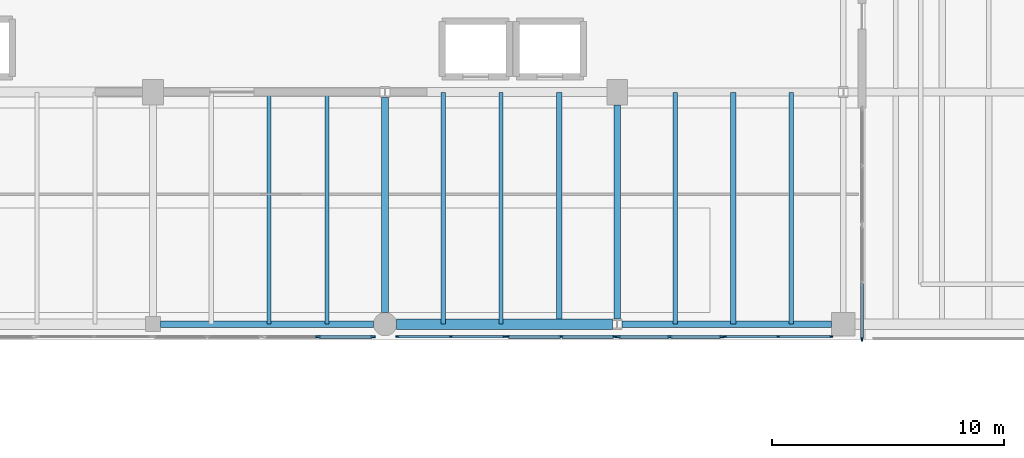
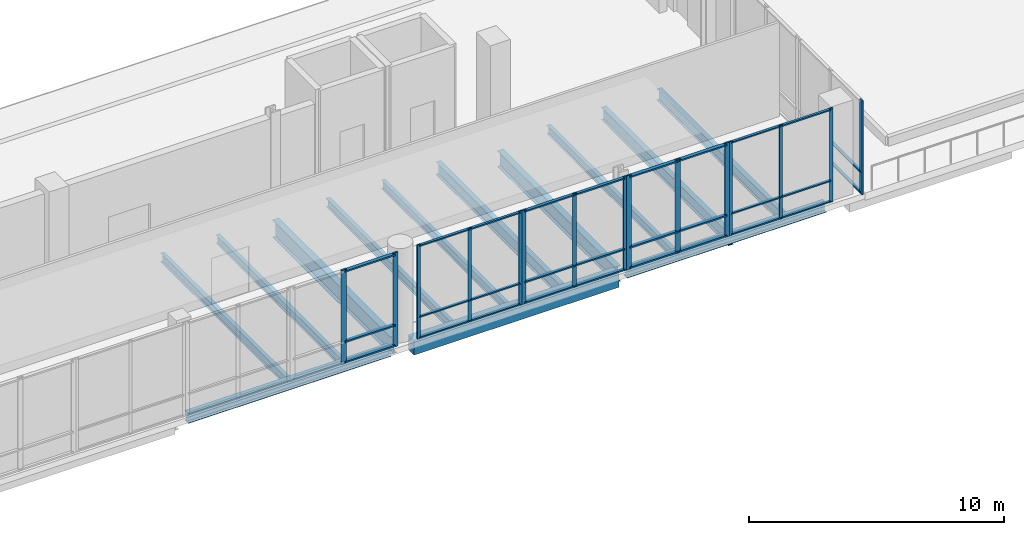
# One storey, part 18 of 41: 44 members, 13 beams, 6 elements without a shape of their own.
"""IFC4 building model written with IfcOpenShell, lengths in metres."""

from ifc_helpers import new_model, si_unit, direction, frame, origin, origin_2d, place, context, subcontext, project, spatial, rectangle, i_section, extrude, material, material_profile, profile_set, type_object, element, aggregate, save


model = new_model("IFC4")

# Units and contexts
model_context = context("Model", 3, precision=1e-05, world=origin(), true_north=direction((0.0, 1.0)))
body_context = subcontext(model_context, "Body", "Model", "MODEL_VIEW")
ifc_project = project(units=[si_unit("LENGTHUNIT", "METRE"), si_unit("AREAUNIT", "SQUARE_METRE"), si_unit("VOLUMEUNIT", "CUBIC_METRE"), si_unit("PLANEANGLEUNIT", "RADIAN"), si_unit("MASSUNIT", "GRAM", prefix="KILO")], contexts=[model_context])

# Site, building, storey
site_placement = place(None, origin())
site = spatial("IfcSite", under=ifc_project, at=site_placement, CompositionType="ELEMENT")
building_placement = place(site_placement, origin())
building = spatial("IfcBuilding", under=site, at=building_placement, Name="Trimount Lyric Opera House", CompositionType="ELEMENT")
storey_placement = place(building_placement, frame((0.0, 0.0, 20.0)))
storey = spatial("IfcBuildingStorey", under=building, at=storey_placement, Name="L04", CompositionType="ELEMENT", Elevation=20.0)

# Beams
ifc_material_1 = material(Name="Steel ASTM A992 Grade 50", Category="steel")
ifc_material_profile_1 = material_profile(ifc_material_1, i_section(OverallWidth=0.2919921875, OverallDepth=0.845947265625, WebThickness=0.015380859375, FlangeThickness=0.0244140625, FilletRadius=0.01806640625, at=origin_2d()), Name="W33X141")
ifc_profile_set_1 = profile_set([ifc_material_profile_1], Name="Steel ASTM A992 Grade 50")
beam_type_1 = type_object("IfcBeamType", Name="B-05", PredefinedType="BEAM", material=ifc_profile_set_1)
beam_1_placement = place(storey_placement, frame((94.0, 44.5, -0.748046875), z_axis=(0.0, 1.0, 0.0), x_axis=(-1.0, 0.0, 0.0)))
element("IfcBeam", 1, at=beam_1_placement, inside=storey, type_object=beam_type_1, Name="L04 girder Y-1226", PredefinedType="BEAM", context=body_context, shape_type="SweptSolid", body=[
    extrude(i_section(OverallWidth=0.2919921875, OverallDepth=0.845947265625, WebThickness=0.015380859375, FlangeThickness=0.0244140625, FilletRadius=0.01806640625, at=origin_2d()), origin(), (0.0, 0.0, 1.0), 9.267578125),
])
ifc_material_2 = material(Name="Steel ASTM A992 Grade 50", Category="steel")
ifc_material_profile_2 = material_profile(ifc_material_2, i_section(OverallWidth=0.26708984375, OverallDepth=0.761962890625, WebThickness=0.014404296875, FlangeThickness=0.021484375, FilletRadius=0.01708984375, at=origin_2d()), Name="W30X116")
ifc_profile_set_2 = profile_set([ifc_material_profile_2], Name="Steel ASTM A992 Grade 50")
beam_type_2 = type_object("IfcBeamType", Name="B-07", PredefinedType="BEAM", material=ifc_profile_set_2)
beam_2_placement = place(storey_placement, frame((104.0, 44.232421875, -0.7060546875), z_axis=(0.0, 1.0, 0.0), x_axis=(-1.0, 0.0, 0.0)))
element("IfcBeam", 2, at=beam_2_placement, inside=storey, type_object=beam_type_2, Name="L04 girder Y-1227", PredefinedType="BEAM", context=body_context, shape_type="SweptSolid", body=[
    extrude(i_section(OverallWidth=0.26708984375, OverallDepth=0.761962890625, WebThickness=0.014404296875, FlangeThickness=0.021484375, FilletRadius=0.01708984375, at=origin_2d()), origin(), (0.0, 0.0, 1.0), 9.217529296875),
])
ifc_material_3 = material(Name="Steel ASTM A992 Grade 50", Category="steel")
ifc_material_profile_3 = material_profile(ifc_material_3, i_section(OverallWidth=0.22802734375, OverallDepth=0.60205078125, WebThickness=0.010498046875, FlangeThickness=0.014892578125, FilletRadius=0.012939453125, at=origin_2d()), Name="W24X68")
ifc_profile_set_3 = profile_set([ifc_material_profile_3], Name="Steel ASTM A992 Grade 50")
beam_type_3 = type_object("IfcBeamType", Name="J-01", PredefinedType="BEAM", material=ifc_profile_set_3)
for number, where, z_axis, x_axis, name in (
    (3, (101.5, 44.011962890625, -0.6259765625), (0.0, 1.0, 0.0), (-1.0, 0.0, 0.0), "L04 composite floor joist 1209"),
    (4, (109.0, 44.011962890625, -0.6259765625), (0.0, 1.0, 0.0), (-1.0, 0.0, 0.0), "L04 composite floor joist 1211"),
):
    element("IfcBeam", number, at=place(storey_placement, frame(where, z_axis=z_axis, x_axis=x_axis)), inside=storey, type_object=beam_type_3, Name=name, PredefinedType="BEAM", context=body_context, shape_type="SweptSolid", body=[
        extrude(i_section(OverallWidth=0.22802734375, OverallDepth=0.60205078125, WebThickness=0.010498046875, FlangeThickness=0.014892578125, FilletRadius=0.012939453125, at=origin_2d()), origin(), (0.0, 0.0, 1.0), 9.97607421875),
    ])
ifc_material_4 = material(Name="Steel ASTM A992 Grade 50", Category="steel")
ifc_material_profile_4 = material_profile(ifc_material_4, i_section(OverallWidth=0.2099609375, OverallDepth=0.532958984375, WebThickness=0.01025390625, FlangeThickness=0.015625, FilletRadius=0.012939453125, at=origin_2d()), Name="W21X62")
ifc_profile_set_4 = profile_set([ifc_material_profile_4], Name="Steel ASTM A992 Grade 50")
beam_type_4 = type_object("IfcBeamType", Name="J-02", PredefinedType="BEAM", material=ifc_profile_set_4)
beam_3_placement = place(storey_placement, frame((111.5, 44.011962890625, -0.591552734375), z_axis=(0.0, 1.0, 0.0), x_axis=(-1.0, 0.0, 0.0)))
element("IfcBeam", 5, at=beam_3_placement, inside=storey, type_object=beam_type_4, Name="L04 composite floor joist 1212", PredefinedType="BEAM", context=body_context, shape_type="SweptSolid", body=[
    extrude(i_section(OverallWidth=0.2099609375, OverallDepth=0.532958984375, WebThickness=0.01025390625, FlangeThickness=0.015625, FilletRadius=0.012939453125, at=origin_2d()), origin(), (0.0, 0.0, 1.0), 9.97607421875),
])
ifc_material_5 = material(Name="Steel ASTM A992 Grade 50", Category="steel")
ifc_material_profile_5 = material_profile(ifc_material_5, i_section(OverallWidth=0.180908203125, OverallDepth=0.4169921875, WebThickness=0.010986328125, FlangeThickness=0.018310546875, FilletRadius=0.010986328125, at=origin_2d()), Name="W16X57")
ifc_profile_set_5 = profile_set([ifc_material_profile_5], Name="Steel ASTM A992 Grade 50")
beam_type_5 = type_object("IfcBeamType", Name="J-05", PredefinedType="BEAM", material=ifc_profile_set_5)
for number, where, z_axis, x_axis, name in (
    (6, (89.0, 44.011962890625, -0.533447265625), (0.0, 1.0, 0.0), (-1.0, 0.0, 0.0), "L04 composite floor joist 1205"),
    (7, (96.5, 44.011962890625, -0.533447265625), (0.0, 1.0, 0.0), (-1.0, 0.0, 0.0), "L04 composite floor joist 1207"),
):
    element("IfcBeam", number, at=place(storey_placement, frame(where, z_axis=z_axis, x_axis=x_axis)), inside=storey, type_object=beam_type_5, Name=name, PredefinedType="BEAM", context=body_context, shape_type="SweptSolid", body=[
        extrude(i_section(OverallWidth=0.180908203125, OverallDepth=0.4169921875, WebThickness=0.010986328125, FlangeThickness=0.018310546875, FilletRadius=0.010986328125, at=origin_2d()), origin(), (0.0, 0.0, 1.0), 9.97607421875),
    ])
ifc_material_6 = material(Name="Steel ASTM A992 Grade 50", Category="steel")
ifc_material_profile_6 = material_profile(ifc_material_6, i_section(OverallWidth=0.177978515625, OverallDepth=0.404052734375, WebThickness=0.007568359375, FlangeThickness=0.010986328125, FilletRadius=0.010009765625, at=origin_2d()), Name="W16X36")
ifc_profile_set_6 = profile_set([ifc_material_profile_6], Name="Steel ASTM A992 Grade 50")
beam_type_6 = type_object("IfcBeamType", Name="J-06", PredefinedType="BEAM", material=ifc_profile_set_6)
for number, where, z_axis, x_axis, name in (
    (8, (91.5, 44.011962890625, -0.527099609375), (0.0, 1.0, 0.0), (-1.0, 0.0, 0.0), "L04 composite floor joist 1206"),
    (9, (99.0, 44.011962890625, -0.527099609375), (0.0, 1.0, 0.0), (-1.0, 0.0, 0.0), "L04 composite floor joist 1208"),
    (10, (106.5, 44.011962890625, -0.527099609375), (0.0, 1.0, 0.0), (-1.0, 0.0, 0.0), "L04 composite floor joist 1210"),
):
    element("IfcBeam", number, at=place(storey_placement, frame(where, z_axis=z_axis, x_axis=x_axis)), inside=storey, type_object=beam_type_6, Name=name, PredefinedType="BEAM", context=body_context, shape_type="SweptSolid", body=[
        extrude(i_section(OverallWidth=0.177978515625, OverallDepth=0.404052734375, WebThickness=0.007568359375, FlangeThickness=0.010986328125, FilletRadius=0.010009765625, at=origin_2d()), origin(), (0.0, 0.0, 1.0), 9.97607421875),
    ])

# Curtain wall, members
ifc_material_7 = material(Name="Thermally Broken Aluminium and Low-E Glass", Category="aluminium")
curtain_wall_type = type_object("IfcCurtainWallType", Name="CW-05", PredefinedType="NOTDEFINED", material=ifc_material_7)
curtain_wall_1_placement = place(storey_placement, origin())
curtain_wall_1 = element("IfcCurtainWall", 11, at=curtain_wall_1_placement, inside=storey, type_object=curtain_wall_type, Name="L04 curtain wall 324", PredefinedType="NOTDEFINED")
ifc_material_8 = material(Name="Anodised Aluminium 6063-T6", Category="aluminium")
ifc_material_profile_7 = material_profile(ifc_material_8, rectangle(XDim=0.070068359375, YDim=0.219970703125, at=origin_2d()), Name="ALU-MULL-70X220")
ifc_profile_set_7 = profile_set([ifc_material_profile_7], Name="Anodised Aluminium 6063-T6")
member_type_1 = type_object("IfcMemberType", Name="ML-01", PredefinedType="MULLION", material=ifc_profile_set_7)
member_1_placement = place(storey_placement, frame((108.4951171875, 43.4599609375, 0.0), z_axis=(0.0, 0.0, 1.0), x_axis=(0.0, -1.0, 0.0)))
member_1 = element("IfcMember", 12, at=member_1_placement, type_object=member_type_1, Name="CW-05 mullion 1", PredefinedType="MULLION", context=body_context, shape_type="SweptSolid", body=[
    extrude(rectangle(XDim=0.070068359375, YDim=0.219970703125, at=origin_2d()), origin(), (0.0, 0.0, 1.0), 4.510009765625),
])
member_2_placement = place(storey_placement, frame((106.264892578125, 43.4599609375, 0.0), z_axis=(0.0, 0.0, 1.0), x_axis=(0.0, -1.0, 0.0)))
member_2 = element("IfcMember", 13, at=member_2_placement, type_object=member_type_1, Name="CW-05 mullion 2", PredefinedType="MULLION", context=body_context, shape_type="SweptSolid", body=[
    extrude(rectangle(XDim=0.070068359375, YDim=0.219970703125, at=origin_2d()), origin(), (0.0, 0.0, 1.0), 4.510009765625),
])
member_3_placement = place(storey_placement, frame((104.034912109375, 43.4599609375, 0.0), z_axis=(0.0, 0.0, 1.0), x_axis=(0.0, -1.0, 0.0)))
member_3 = element("IfcMember", 14, at=member_3_placement, type_object=member_type_1, Name="CW-05 mullion 3", PredefinedType="MULLION", context=body_context, shape_type="SweptSolid", body=[
    extrude(rectangle(XDim=0.070068359375, YDim=0.219970703125, at=origin_2d()), origin(), (0.0, 0.0, 1.0), 4.510009765625),
])

curtain_wall_2_placement = place(storey_placement, origin())
curtain_wall_2 = element("IfcCurtainWall", 15, at=curtain_wall_2_placement, inside=storey, type_object=curtain_wall_type, Name="L04 curtain wall 327", PredefinedType="NOTDEFINED")
member_4_placement = place(storey_placement, frame((93.465087890625, 43.4599609375, 0.0), z_axis=(0.0, 0.0, 1.0), x_axis=(0.0, -1.0, 0.0)))
member_4 = element("IfcMember", 16, at=member_4_placement, type_object=member_type_1, Name="CW-05 mullion 1", PredefinedType="MULLION", context=body_context, shape_type="SweptSolid", body=[
    extrude(rectangle(XDim=0.070068359375, YDim=0.219970703125, at=origin_2d()), origin(), (0.0, 0.0, 1.0), 4.510009765625),
])
member_5_placement = place(storey_placement, frame((91.125, 43.4599609375, 0.0), z_axis=(0.0, 0.0, 1.0), x_axis=(0.0, -1.0, 0.0)))
member_5 = element("IfcMember", 17, at=member_5_placement, type_object=member_type_1, Name="CW-05 mullion 2", PredefinedType="MULLION", context=body_context, shape_type="SweptSolid", body=[
    extrude(rectangle(XDim=0.070068359375, YDim=0.219970703125, at=origin_2d()), origin(), (0.0, 0.0, 1.0), 4.510009765625),
])

# Curtain wall, member
curtain_wall_3_placement = place(storey_placement, origin())
curtain_wall_3 = element("IfcCurtainWall", 18, at=curtain_wall_3_placement, inside=storey, type_object=curtain_wall_type, Name="L04 curtain wall 322", PredefinedType="NOTDEFINED")
ifc_material_9 = material(Name="Anodised Aluminium 6063-T6", Category="aluminium")
ifc_material_profile_8 = material_profile(ifc_material_9, rectangle(XDim=0.06494140625, YDim=0.179931640625, at=origin_2d()), Name="ALU-MULL-65X180")
ifc_profile_set_8 = profile_set([ifc_material_profile_8], Name="Anodised Aluminium 6063-T6")
member_type_2 = type_object("IfcMemberType", Name="ML-02", PredefinedType="MULLION", material=ifc_profile_set_8)
member_6_placement = place(storey_placement, frame((114.5400390625, 43.3525390625, 0.0), z_axis=(0.0, 0.0, 1.0), x_axis=(1.0, 0.0, 0.0)))
member_6 = element("IfcMember", 19, at=member_6_placement, type_object=member_type_2, Name="CW-05 mullion 3", PredefinedType="MULLION", context=body_context, shape_type="SweptSolid", body=[
    extrude(rectangle(XDim=0.06494140625, YDim=0.179931640625, at=origin_2d()), origin(), (0.0, 0.0, 1.0), 4.5),
])

# Curtain wall, members
curtain_wall_4_placement = place(storey_placement, origin())
curtain_wall_4 = element("IfcCurtainWall", 20, at=curtain_wall_4_placement, inside=storey, type_object=curtain_wall_type, Name="L04 curtain wall 325", PredefinedType="NOTDEFINED")
member_7_placement = place(storey_placement, frame((103.87744140625, 43.4599609375, 0.0), z_axis=(0.0, 0.0, 1.0), x_axis=(0.0, -1.0, 0.0)))
member_7 = element("IfcMember", 21, at=member_7_placement, type_object=member_type_2, Name="CW-05 mullion 1", PredefinedType="MULLION", context=body_context, shape_type="SweptSolid", body=[
    extrude(rectangle(XDim=0.06494140625, YDim=0.179931640625, at=origin_2d()), origin(), (0.0, 0.0, 1.0), 4.510009765625),
])
member_8_placement = place(storey_placement, frame((101.580078125, 43.4599609375, 0.0), z_axis=(0.0, 0.0, 1.0), x_axis=(0.0, -1.0, 0.0)))
member_8 = element("IfcMember", 22, at=member_8_placement, type_object=member_type_2, Name="CW-05 mullion 2", PredefinedType="MULLION", context=body_context, shape_type="SweptSolid", body=[
    extrude(rectangle(XDim=0.06494140625, YDim=0.179931640625, at=origin_2d()), origin(), (0.0, 0.0, 1.0), 4.510009765625),
])
member_9_placement = place(storey_placement, frame((99.282470703125, 43.4599609375, 0.0), z_axis=(0.0, 0.0, 1.0), x_axis=(0.0, -1.0, 0.0)))
member_9 = element("IfcMember", 23, at=member_9_placement, type_object=member_type_2, Name="CW-05 mullion 3", PredefinedType="MULLION", context=body_context, shape_type="SweptSolid", body=[
    extrude(rectangle(XDim=0.06494140625, YDim=0.179931640625, at=origin_2d()), origin(), (0.0, 0.0, 1.0), 4.510009765625),
])

curtain_wall_5_placement = place(storey_placement, origin())
curtain_wall_5 = element("IfcCurtainWall", 24, at=curtain_wall_5_placement, inside=storey, type_object=curtain_wall_type, Name="L04 curtain wall 323", PredefinedType="NOTDEFINED")
ifc_material_10 = material(Name="Anodised Aluminium 6063-T6", Category="aluminium")
ifc_material_profile_9 = material_profile(ifc_material_10, rectangle(XDim=0.06005859375, YDim=0.14990234375, at=origin_2d()), Name="ALU-MULL-60X150")
ifc_profile_set_9 = profile_set([ifc_material_profile_9], Name="Anodised Aluminium 6063-T6")
member_type_3 = type_object("IfcMemberType", Name="ML-03", PredefinedType="MULLION", material=ifc_profile_set_9)
member_10_placement = place(storey_placement, frame((113.2099609375, 43.4599609375, 0.0), z_axis=(0.0, 0.0, 1.0), x_axis=(0.0, -1.0, 0.0)))
member_10 = element("IfcMember", 25, at=member_10_placement, type_object=member_type_3, Name="CW-05 mullion 1", PredefinedType="MULLION", context=body_context, shape_type="SweptSolid", body=[
    extrude(rectangle(XDim=0.06005859375, YDim=0.14990234375, at=origin_2d()), origin(), (0.0, 0.0, 1.0), 4.510009765625),
])
member_11_placement = place(storey_placement, frame((110.929931640625, 43.4599609375, 0.0), z_axis=(0.0, 0.0, 1.0), x_axis=(0.0, -1.0, 0.0)))
member_11 = element("IfcMember", 26, at=member_11_placement, type_object=member_type_3, Name="CW-05 mullion 2", PredefinedType="MULLION", context=body_context, shape_type="SweptSolid", body=[
    extrude(rectangle(XDim=0.06005859375, YDim=0.14990234375, at=origin_2d()), origin(), (0.0, 0.0, 1.0), 4.510009765625),
])
member_12_placement = place(storey_placement, frame((108.64990234375, 43.4599609375, 0.0), z_axis=(0.0, 0.0, 1.0), x_axis=(0.0, -1.0, 0.0)))
member_12 = element("IfcMember", 27, at=member_12_placement, type_object=member_type_3, Name="CW-05 mullion 3", PredefinedType="MULLION", context=body_context, shape_type="SweptSolid", body=[
    extrude(rectangle(XDim=0.06005859375, YDim=0.14990234375, at=origin_2d()), origin(), (0.0, 0.0, 1.0), 4.510009765625),
])

curtain_wall_6_placement = place(storey_placement, origin())
curtain_wall_6 = element("IfcCurtainWall", 28, at=curtain_wall_6_placement, inside=storey, type_object=curtain_wall_type, Name="L04 curtain wall 326", PredefinedType="NOTDEFINED")
member_13_placement = place(storey_placement, frame((99.1298828125, 43.4599609375, 0.0), z_axis=(0.0, 0.0, 1.0), x_axis=(0.0, -1.0, 0.0)))
member_13 = element("IfcMember", 29, at=member_13_placement, type_object=member_type_3, Name="CW-05 mullion 1", PredefinedType="MULLION", context=body_context, shape_type="SweptSolid", body=[
    extrude(rectangle(XDim=0.06005859375, YDim=0.14990234375, at=origin_2d()), origin(), (0.0, 0.0, 1.0), 4.510009765625),
])
member_14_placement = place(storey_placement, frame((96.830078125, 43.4599609375, 0.0), z_axis=(0.0, 0.0, 1.0), x_axis=(0.0, -1.0, 0.0)))
member_14 = element("IfcMember", 30, at=member_14_placement, type_object=member_type_3, Name="CW-05 mullion 2", PredefinedType="MULLION", context=body_context, shape_type="SweptSolid", body=[
    extrude(rectangle(XDim=0.06005859375, YDim=0.14990234375, at=origin_2d()), origin(), (0.0, 0.0, 1.0), 4.510009765625),
])
member_15_placement = place(storey_placement, frame((94.530029296875, 43.4599609375, 0.0), z_axis=(0.0, 0.0, 1.0), x_axis=(0.0, -1.0, 0.0)))
member_15 = element("IfcMember", 31, at=member_15_placement, type_object=member_type_3, Name="CW-05 mullion 3", PredefinedType="MULLION", context=body_context, shape_type="SweptSolid", body=[
    extrude(rectangle(XDim=0.06005859375, YDim=0.14990234375, at=origin_2d()), origin(), (0.0, 0.0, 1.0), 4.510009765625),
])

# Beams
ifc_material_11 = material(Name="Steel ASTM A992 Grade 50", Category="steel")
ifc_material_profile_10 = material_profile(ifc_material_11, i_section(OverallWidth=0.281982421875, OverallDepth=0.467041015625, WebThickness=0.01220703125, FlangeThickness=0.01953125, FilletRadius=0.012939453125, at=origin_2d()), Name="W18X86")
ifc_profile_set_10 = profile_set([ifc_material_profile_10], Name="Steel ASTM A992 Grade 50")
beam_type_7 = type_object("IfcBeamType", Name="SP-01", PredefinedType="SPANDREL", material=ifc_profile_set_10)
beam_4_placement = place(storey_placement, frame((84.324951171875, 44.0, -0.513427734375), z_axis=(1.0, 0.0, 0.0), x_axis=(0.0, 1.0, 0.0)))
element("IfcBeam", 32, at=beam_4_placement, inside=storey, type_object=beam_type_7, Name="L04 girder X-1130", PredefinedType="SPANDREL", context=body_context, shape_type="SweptSolid", body=[
    extrude(i_section(OverallWidth=0.281982421875, OverallDepth=0.467041015625, WebThickness=0.01220703125, FlangeThickness=0.01953125, FilletRadius=0.012939453125, at=origin_2d()), origin(), (0.0, 0.0, 1.0), 9.175048828125),
])
beam_5_placement = place(storey_placement, frame((104.2109375, 44.0, -0.513427734375), z_axis=(1.0, 0.0, 0.0), x_axis=(0.0, 1.0, 0.0)))
element("IfcBeam", 33, at=beam_5_placement, inside=storey, type_object=beam_type_7, Name="L04 girder X-1132", PredefinedType="SPANDREL", context=body_context, shape_type="SweptSolid", body=[
    extrude(i_section(OverallWidth=0.281982421875, OverallDepth=0.467041015625, WebThickness=0.01220703125, FlangeThickness=0.01953125, FilletRadius=0.012939453125, at=origin_2d()), origin(), (0.0, 0.0, 1.0), 9.029052734375),
])
ifc_material_12 = material(Name="Concrete C40/50", Category="concrete")
ifc_material_profile_11 = material_profile(ifc_material_12, rectangle(XDim=0.449951171875, YDim=0.699951171875, at=origin_2d()), Name="RC450X700")
ifc_profile_set_11 = profile_set([ifc_material_profile_11], Name="Concrete C40/50")
beam_type_8 = type_object("IfcBeamType", Name="SP-02", PredefinedType="SPANDREL", material=ifc_profile_set_11)
beam_6_placement = place(storey_placement, frame((94.5, 44.0, -0.6298828125), z_axis=(1.0, 0.0, 0.0), x_axis=(0.0, 1.0, 0.0)))
element("IfcBeam", 34, at=beam_6_placement, inside=storey, type_object=beam_type_8, Name="L04 girder X-1131", PredefinedType="SPANDREL", context=body_context, shape_type="SweptSolid", body=[
    extrude(rectangle(XDim=0.449951171875, YDim=0.699951171875, at=origin_2d()), origin(), (0.0, 0.0, 1.0), 9.2890625),
])

# Member
ifc_material_13 = material(Name="Anodised Aluminium 6063-T6", Category="aluminium")
ifc_material_profile_12 = material_profile(ifc_material_13, rectangle(XDim=0.159912109375, YDim=0.070068359375, at=origin_2d()), Name="ALU-TRAN-70X160")
ifc_profile_set_12 = profile_set([ifc_material_profile_12], Name="Anodised Aluminium 6063-T6")
member_type_4 = type_object("IfcMemberType", Name="TR-01", PredefinedType="USERDEFINED", material=ifc_profile_set_12)
member_16_placement = place(storey_placement, frame((108.4599609375, 43.4599609375, 0.080078125), z_axis=(-1.0, 0.0, 0.0), x_axis=(0.0, -1.0, 0.0)))
member_16 = element("IfcMember", 35, at=member_16_placement, type_object=member_type_4, Name="CW-05 transom 1.1", ObjectType="TRANSOM", PredefinedType="USERDEFINED", context=body_context, shape_type="SweptSolid", body=[
    extrude(rectangle(XDim=0.159912109375, YDim=0.070068359375, at=origin_2d()), origin(), (0.0, 0.0, 1.0), 2.159912109375),
])

member_17_placement = place(storey_placement, frame((108.4599609375, 43.4599609375, 1.050048828125), z_axis=(-1.0, 0.0, 0.0), x_axis=(0.0, -1.0, 0.0)))
member_17 = element("IfcMember", 36, at=member_17_placement, type_object=member_type_4, Name="CW-05 transom 1.2", ObjectType="TRANSOM", PredefinedType="USERDEFINED", context=body_context, shape_type="SweptSolid", body=[
    extrude(rectangle(XDim=0.159912109375, YDim=0.070068359375, at=origin_2d()), origin(), (0.0, 0.0, 1.0), 2.159912109375),
])

member_18_placement = place(storey_placement, frame((108.4599609375, 43.4599609375, 4.429931640625), z_axis=(-1.0, 0.0, 0.0), x_axis=(0.0, -1.0, 0.0)))
member_18 = element("IfcMember", 37, at=member_18_placement, type_object=member_type_4, Name="CW-05 transom 1.3", ObjectType="TRANSOM", PredefinedType="USERDEFINED", context=body_context, shape_type="SweptSolid", body=[
    extrude(rectangle(XDim=0.159912109375, YDim=0.070068359375, at=origin_2d()), origin(), (0.0, 0.0, 1.0), 2.159912109375),
])

member_19_placement = place(storey_placement, frame((106.22998046875, 43.4599609375, 0.080078125), z_axis=(-1.0, 0.0, 0.0), x_axis=(0.0, -1.0, 0.0)))
member_19 = element("IfcMember", 38, at=member_19_placement, type_object=member_type_4, Name="CW-05 transom 2.1", ObjectType="TRANSOM", PredefinedType="USERDEFINED", context=body_context, shape_type="SweptSolid", body=[
    extrude(rectangle(XDim=0.159912109375, YDim=0.070068359375, at=origin_2d()), origin(), (0.0, 0.0, 1.0), 2.159912109375),
])

member_20_placement = place(storey_placement, frame((106.22998046875, 43.4599609375, 1.050048828125), z_axis=(-1.0, 0.0, 0.0), x_axis=(0.0, -1.0, 0.0)))
member_20 = element("IfcMember", 39, at=member_20_placement, type_object=member_type_4, Name="CW-05 transom 2.2", ObjectType="TRANSOM", PredefinedType="USERDEFINED", context=body_context, shape_type="SweptSolid", body=[
    extrude(rectangle(XDim=0.159912109375, YDim=0.070068359375, at=origin_2d()), origin(), (0.0, 0.0, 1.0), 2.159912109375),
])

member_21_placement = place(storey_placement, frame((106.22998046875, 43.4599609375, 4.429931640625), z_axis=(-1.0, 0.0, 0.0), x_axis=(0.0, -1.0, 0.0)))
member_21 = element("IfcMember", 40, at=member_21_placement, type_object=member_type_4, Name="CW-05 transom 2.3", ObjectType="TRANSOM", PredefinedType="USERDEFINED", context=body_context, shape_type="SweptSolid", body=[
    extrude(rectangle(XDim=0.159912109375, YDim=0.070068359375, at=origin_2d()), origin(), (0.0, 0.0, 1.0), 2.159912109375),
])

aggregate(curtain_wall_1, [member_1, member_2, member_3, member_16, member_17, member_18, member_19, member_20, member_21])

member_22_placement = place(storey_placement, frame((93.429931640625, 43.4599609375, 0.080078125), z_axis=(-1.0, 0.0, 0.0), x_axis=(0.0, -1.0, 0.0)))
member_22 = element("IfcMember", 41, at=member_22_placement, type_object=member_type_4, Name="CW-05 transom 1.1", ObjectType="TRANSOM", PredefinedType="USERDEFINED", context=body_context, shape_type="SweptSolid", body=[
    extrude(rectangle(XDim=0.159912109375, YDim=0.070068359375, at=origin_2d()), origin(), (0.0, 0.0, 1.0), 2.27001953125),
])

member_23_placement = place(storey_placement, frame((93.429931640625, 43.4599609375, 1.050048828125), z_axis=(-1.0, 0.0, 0.0), x_axis=(0.0, -1.0, 0.0)))
member_23 = element("IfcMember", 42, at=member_23_placement, type_object=member_type_4, Name="CW-05 transom 1.2", ObjectType="TRANSOM", PredefinedType="USERDEFINED", context=body_context, shape_type="SweptSolid", body=[
    extrude(rectangle(XDim=0.159912109375, YDim=0.070068359375, at=origin_2d()), origin(), (0.0, 0.0, 1.0), 2.27001953125),
])

member_24_placement = place(storey_placement, frame((93.429931640625, 43.4599609375, 4.429931640625), z_axis=(-1.0, 0.0, 0.0), x_axis=(0.0, -1.0, 0.0)))
member_24 = element("IfcMember", 43, at=member_24_placement, type_object=member_type_4, Name="CW-05 transom 1.3", ObjectType="TRANSOM", PredefinedType="USERDEFINED", context=body_context, shape_type="SweptSolid", body=[
    extrude(rectangle(XDim=0.159912109375, YDim=0.070068359375, at=origin_2d()), origin(), (0.0, 0.0, 1.0), 2.27001953125),
])

aggregate(curtain_wall_2, [member_4, member_5, member_22, member_23, member_24])

ifc_material_14 = material(Name="Anodised Aluminium 6063-T6", Category="aluminium")
ifc_material_profile_13 = material_profile(ifc_material_14, rectangle(XDim=0.135009765625, YDim=0.06494140625, at=origin_2d()), Name="ALU-TRAN-65X135")
ifc_profile_set_13 = profile_set([ifc_material_profile_13], Name="Anodised Aluminium 6063-T6")
member_type_5 = type_object("IfcMemberType", Name="TR-02", PredefinedType="USERDEFINED", material=ifc_profile_set_13)
member_25_placement = place(storey_placement, frame((114.5400390625, 45.742431640625, 0.0673828125), z_axis=(0.0, -1.0, 0.0), x_axis=(1.0, 0.0, 0.0)))
member_25 = element("IfcMember", 44, at=member_25_placement, type_object=member_type_5, Name="CW-05 transom 2.1", ObjectType="TRANSOM", PredefinedType="USERDEFINED", context=body_context, shape_type="SweptSolid", body=[
    extrude(rectangle(XDim=0.135009765625, YDim=0.06494140625, at=origin_2d()), origin(), (0.0, 0.0, 1.0), 2.357421875),
])

member_26_placement = place(storey_placement, frame((114.5400390625, 45.742431640625, 1.050048828125), z_axis=(0.0, -1.0, 0.0), x_axis=(1.0, 0.0, 0.0)))
member_26 = element("IfcMember", 45, at=member_26_placement, type_object=member_type_5, Name="CW-05 transom 2.2", ObjectType="TRANSOM", PredefinedType="USERDEFINED", context=body_context, shape_type="SweptSolid", body=[
    extrude(rectangle(XDim=0.135009765625, YDim=0.06494140625, at=origin_2d()), origin(), (0.0, 0.0, 1.0), 2.357421875),
])

aggregate(curtain_wall_3, [member_6, member_25, member_26])

member_27_placement = place(storey_placement, frame((103.844970703125, 43.4599609375, 0.0673828125), z_axis=(-1.0, 0.0, 0.0), x_axis=(0.0, -1.0, 0.0)))
member_27 = element("IfcMember", 46, at=member_27_placement, type_object=member_type_5, Name="CW-05 transom 1.1", ObjectType="TRANSOM", PredefinedType="USERDEFINED", context=body_context, shape_type="SweptSolid", body=[
    extrude(rectangle(XDim=0.135009765625, YDim=0.06494140625, at=origin_2d()), origin(), (0.0, 0.0, 1.0), 2.232421875),
])

member_28_placement = place(storey_placement, frame((103.844970703125, 43.4599609375, 1.050048828125), z_axis=(-1.0, 0.0, 0.0), x_axis=(0.0, -1.0, 0.0)))
member_28 = element("IfcMember", 47, at=member_28_placement, type_object=member_type_5, Name="CW-05 transom 1.2", ObjectType="TRANSOM", PredefinedType="USERDEFINED", context=body_context, shape_type="SweptSolid", body=[
    extrude(rectangle(XDim=0.135009765625, YDim=0.06494140625, at=origin_2d()), origin(), (0.0, 0.0, 1.0), 2.232421875),
])

member_29_placement = place(storey_placement, frame((103.844970703125, 43.4599609375, 4.4423828125), z_axis=(-1.0, 0.0, 0.0), x_axis=(0.0, -1.0, 0.0)))
member_29 = element("IfcMember", 48, at=member_29_placement, type_object=member_type_5, Name="CW-05 transom 1.3", ObjectType="TRANSOM", PredefinedType="USERDEFINED", context=body_context, shape_type="SweptSolid", body=[
    extrude(rectangle(XDim=0.135009765625, YDim=0.06494140625, at=origin_2d()), origin(), (0.0, 0.0, 1.0), 2.232421875),
])

member_30_placement = place(storey_placement, frame((101.547607421875, 43.4599609375, 0.0673828125), z_axis=(-1.0, 0.0, 0.0), x_axis=(0.0, -1.0, 0.0)))
member_30 = element("IfcMember", 49, at=member_30_placement, type_object=member_type_5, Name="CW-05 transom 2.1", ObjectType="TRANSOM", PredefinedType="USERDEFINED", context=body_context, shape_type="SweptSolid", body=[
    extrude(rectangle(XDim=0.135009765625, YDim=0.06494140625, at=origin_2d()), origin(), (0.0, 0.0, 1.0), 2.232666015625),
])

member_31_placement = place(storey_placement, frame((101.547607421875, 43.4599609375, 1.050048828125), z_axis=(-1.0, 0.0, 0.0), x_axis=(0.0, -1.0, 0.0)))
member_31 = element("IfcMember", 50, at=member_31_placement, type_object=member_type_5, Name="CW-05 transom 2.2", ObjectType="TRANSOM", PredefinedType="USERDEFINED", context=body_context, shape_type="SweptSolid", body=[
    extrude(rectangle(XDim=0.135009765625, YDim=0.06494140625, at=origin_2d()), origin(), (0.0, 0.0, 1.0), 2.232666015625),
])

member_32_placement = place(storey_placement, frame((101.547607421875, 43.4599609375, 4.4423828125), z_axis=(-1.0, 0.0, 0.0), x_axis=(0.0, -1.0, 0.0)))
member_32 = element("IfcMember", 51, at=member_32_placement, type_object=member_type_5, Name="CW-05 transom 2.3", ObjectType="TRANSOM", PredefinedType="USERDEFINED", context=body_context, shape_type="SweptSolid", body=[
    extrude(rectangle(XDim=0.135009765625, YDim=0.06494140625, at=origin_2d()), origin(), (0.0, 0.0, 1.0), 2.232666015625),
])

aggregate(curtain_wall_4, [member_7, member_8, member_9, member_27, member_28, member_29, member_30, member_31, member_32])

ifc_material_15 = material(Name="Anodised Aluminium 6063-T6", Category="aluminium")
ifc_material_profile_14 = material_profile(ifc_material_15, rectangle(XDim=0.114990234375, YDim=0.06005859375, at=origin_2d()), Name="ALU-TRAN-60X115")
ifc_profile_set_14 = profile_set([ifc_material_profile_14], Name="Anodised Aluminium 6063-T6")
member_type_6 = type_object("IfcMemberType", Name="TR-03", PredefinedType="USERDEFINED", material=ifc_profile_set_14)
member_33_placement = place(storey_placement, frame((113.179931640625, 43.4599609375, 0.0576171875), z_axis=(-1.0, 0.0, 0.0), x_axis=(0.0, -1.0, 0.0)))
member_33 = element("IfcMember", 52, at=member_33_placement, type_object=member_type_6, Name="CW-05 transom 1.1", ObjectType="TRANSOM", PredefinedType="USERDEFINED", context=body_context, shape_type="SweptSolid", body=[
    extrude(rectangle(XDim=0.114990234375, YDim=0.06005859375, at=origin_2d()), origin(), (0.0, 0.0, 1.0), 2.219970703125),
])

member_34_placement = place(storey_placement, frame((113.179931640625, 43.4599609375, 1.050048828125), z_axis=(-1.0, 0.0, 0.0), x_axis=(0.0, -1.0, 0.0)))
member_34 = element("IfcMember", 53, at=member_34_placement, type_object=member_type_6, Name="CW-05 transom 1.2", ObjectType="TRANSOM", PredefinedType="USERDEFINED", context=body_context, shape_type="SweptSolid", body=[
    extrude(rectangle(XDim=0.114990234375, YDim=0.06005859375, at=origin_2d()), origin(), (0.0, 0.0, 1.0), 2.219970703125),
])

member_35_placement = place(storey_placement, frame((113.179931640625, 43.4599609375, 4.452392578125), z_axis=(-1.0, 0.0, 0.0), x_axis=(0.0, -1.0, 0.0)))
member_35 = element("IfcMember", 54, at=member_35_placement, type_object=member_type_6, Name="CW-05 transom 1.3", ObjectType="TRANSOM", PredefinedType="USERDEFINED", context=body_context, shape_type="SweptSolid", body=[
    extrude(rectangle(XDim=0.114990234375, YDim=0.06005859375, at=origin_2d()), origin(), (0.0, 0.0, 1.0), 2.219970703125),
])

member_36_placement = place(storey_placement, frame((110.89990234375, 43.4599609375, 0.0576171875), z_axis=(-1.0, 0.0, 0.0), x_axis=(0.0, -1.0, 0.0)))
member_36 = element("IfcMember", 55, at=member_36_placement, type_object=member_type_6, Name="CW-05 transom 2.1", ObjectType="TRANSOM", PredefinedType="USERDEFINED", context=body_context, shape_type="SweptSolid", body=[
    extrude(rectangle(XDim=0.114990234375, YDim=0.06005859375, at=origin_2d()), origin(), (0.0, 0.0, 1.0), 2.219970703125),
])

member_37_placement = place(storey_placement, frame((110.89990234375, 43.4599609375, 1.050048828125), z_axis=(-1.0, 0.0, 0.0), x_axis=(0.0, -1.0, 0.0)))
member_37 = element("IfcMember", 56, at=member_37_placement, type_object=member_type_6, Name="CW-05 transom 2.2", ObjectType="TRANSOM", PredefinedType="USERDEFINED", context=body_context, shape_type="SweptSolid", body=[
    extrude(rectangle(XDim=0.114990234375, YDim=0.06005859375, at=origin_2d()), origin(), (0.0, 0.0, 1.0), 2.219970703125),
])

member_38_placement = place(storey_placement, frame((110.89990234375, 43.4599609375, 4.452392578125), z_axis=(-1.0, 0.0, 0.0), x_axis=(0.0, -1.0, 0.0)))
member_38 = element("IfcMember", 57, at=member_38_placement, type_object=member_type_6, Name="CW-05 transom 2.3", ObjectType="TRANSOM", PredefinedType="USERDEFINED", context=body_context, shape_type="SweptSolid", body=[
    extrude(rectangle(XDim=0.114990234375, YDim=0.06005859375, at=origin_2d()), origin(), (0.0, 0.0, 1.0), 2.219970703125),
])

aggregate(curtain_wall_5, [member_10, member_11, member_12, member_33, member_34, member_35, member_36, member_37, member_38])

member_39_placement = place(storey_placement, frame((99.10009765625, 43.4599609375, 0.0576171875), z_axis=(-1.0, 0.0, 0.0), x_axis=(0.0, -1.0, 0.0)))
member_39 = element("IfcMember", 58, at=member_39_placement, type_object=member_type_6, Name="CW-05 transom 1.1", ObjectType="TRANSOM", PredefinedType="USERDEFINED", context=body_context, shape_type="SweptSolid", body=[
    extrude(rectangle(XDim=0.114990234375, YDim=0.06005859375, at=origin_2d()), origin(), (0.0, 0.0, 1.0), 2.239990234375),
])

member_40_placement = place(storey_placement, frame((99.10009765625, 43.4599609375, 1.050048828125), z_axis=(-1.0, 0.0, 0.0), x_axis=(0.0, -1.0, 0.0)))
member_40 = element("IfcMember", 59, at=member_40_placement, type_object=member_type_6, Name="CW-05 transom 1.2", ObjectType="TRANSOM", PredefinedType="USERDEFINED", context=body_context, shape_type="SweptSolid", body=[
    extrude(rectangle(XDim=0.114990234375, YDim=0.06005859375, at=origin_2d()), origin(), (0.0, 0.0, 1.0), 2.239990234375),
])

member_41_placement = place(storey_placement, frame((99.10009765625, 43.4599609375, 4.452392578125), z_axis=(-1.0, 0.0, 0.0), x_axis=(0.0, -1.0, 0.0)))
member_41 = element("IfcMember", 60, at=member_41_placement, type_object=member_type_6, Name="CW-05 transom 1.3", ObjectType="TRANSOM", PredefinedType="USERDEFINED", context=body_context, shape_type="SweptSolid", body=[
    extrude(rectangle(XDim=0.114990234375, YDim=0.06005859375, at=origin_2d()), origin(), (0.0, 0.0, 1.0), 2.239990234375),
])

member_42_placement = place(storey_placement, frame((96.800048828125, 43.4599609375, 0.0576171875), z_axis=(-1.0, 0.0, 0.0), x_axis=(0.0, -1.0, 0.0)))
member_42 = element("IfcMember", 61, at=member_42_placement, type_object=member_type_6, Name="CW-05 transom 2.1", ObjectType="TRANSOM", PredefinedType="USERDEFINED", context=body_context, shape_type="SweptSolid", body=[
    extrude(rectangle(XDim=0.114990234375, YDim=0.06005859375, at=origin_2d()), origin(), (0.0, 0.0, 1.0), 2.239990234375),
])

member_43_placement = place(storey_placement, frame((96.800048828125, 43.4599609375, 1.050048828125), z_axis=(-1.0, 0.0, 0.0), x_axis=(0.0, -1.0, 0.0)))
member_43 = element("IfcMember", 62, at=member_43_placement, type_object=member_type_6, Name="CW-05 transom 2.2", ObjectType="TRANSOM", PredefinedType="USERDEFINED", context=body_context, shape_type="SweptSolid", body=[
    extrude(rectangle(XDim=0.114990234375, YDim=0.06005859375, at=origin_2d()), origin(), (0.0, 0.0, 1.0), 2.239990234375),
])

member_44_placement = place(storey_placement, frame((96.800048828125, 43.4599609375, 4.452392578125), z_axis=(-1.0, 0.0, 0.0), x_axis=(0.0, -1.0, 0.0)))
member_44 = element("IfcMember", 63, at=member_44_placement, type_object=member_type_6, Name="CW-05 transom 2.3", ObjectType="TRANSOM", PredefinedType="USERDEFINED", context=body_context, shape_type="SweptSolid", body=[
    extrude(rectangle(XDim=0.114990234375, YDim=0.06005859375, at=origin_2d()), origin(), (0.0, 0.0, 1.0), 2.239990234375),
])

aggregate(curtain_wall_6, [member_13, member_14, member_15, member_39, member_40, member_41, member_42, member_43, member_44])

save(model, "model.ifc")
